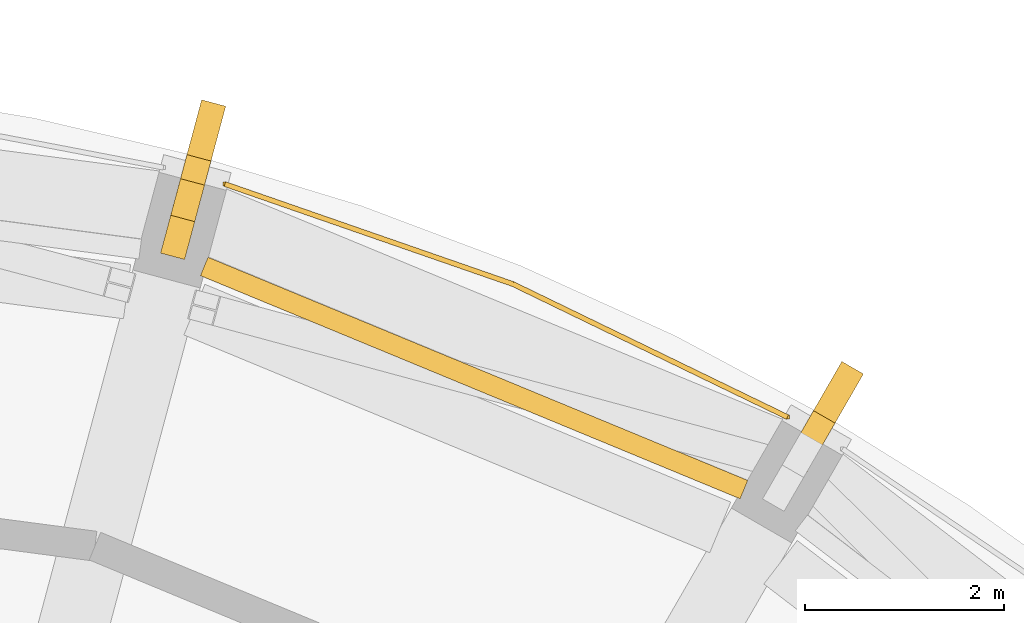
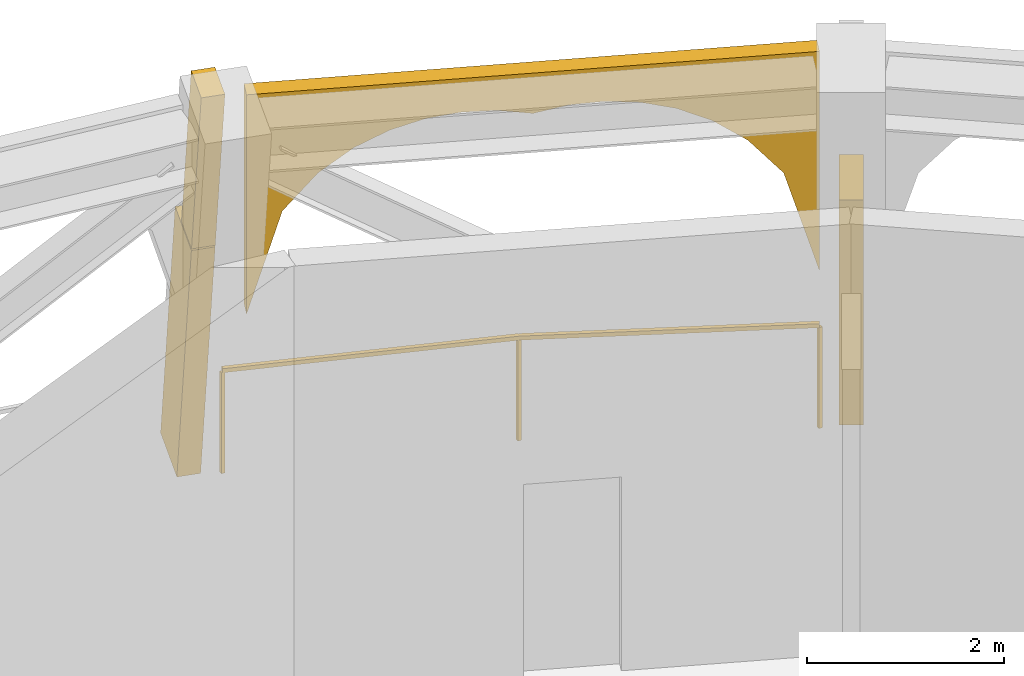
# One storey, part 9 of 9: 4 coverings, 1 railing.
"""IFC4 building model written with IfcOpenShell, lengths in metres."""

from ifc_helpers import new_model, si_unit, direction, frame, origin, origin_2d, place, context, subcontext, project, spatial, polyline, rectangle, outline, extrude, material, layer, layer_set, material_profile, profile_set, type_object, element, save


model = new_model("IFC4")

# Units and contexts
model_context = context("Model", 3, precision=1e-05, world=origin(), true_north=direction((0.0, 1.0)))
body_context = subcontext(model_context, "Body", "Model", "MODEL_VIEW")
ifc_project = project(units=[si_unit("LENGTHUNIT", "METRE"), si_unit("AREAUNIT", "SQUARE_METRE"), si_unit("VOLUMEUNIT", "CUBIC_METRE"), si_unit("PLANEANGLEUNIT", "RADIAN"), si_unit("MASSUNIT", "GRAM", prefix="KILO")], contexts=[model_context])

# Site, building, storey
site_placement = place(None, origin())
site = spatial("IfcSite", under=ifc_project, at=site_placement, CompositionType="ELEMENT")
building_placement = place(site_placement, origin())
building = spatial("IfcBuilding", under=site, at=building_placement, Name="Torre Triforio", CompositionType="ELEMENT")
storey_placement = place(building_placement, frame((0.0, 0.0, 110.60009765625)))
storey = spatial("IfcBuildingStorey", under=building, at=storey_placement, Name="L24", CompositionType="ELEMENT", Elevation=110.60009765625)

# Covering
ifc_material_1 = material(Name="Limestone arch panel", Category="masonry")
ifc_layer = layer(ifc_material_1, 0.199951171875)
ifc_layer_set = layer_set([ifc_layer], Name="Limestone arch panel")
covering_type_1 = type_object("IfcCoveringType", Name="Lancet arch cladding panel 200", PredefinedType="CLADDING", material=ifc_layer_set)
covering_1_placement = place(storey_placement, frame((9.46337890625, 22.846435546875, 0.0), z_axis=(0.382100188932, 0.924120904221, 0.0), x_axis=(-0.924120904221, 0.382100188932, 0.0)))
element("IfcCovering", 1, at=covering_1_placement, inside=storey, type_object=covering_type_1, Name="Lancet arch panel L24 bay 05", PredefinedType="CLADDING", context=body_context, shape_type="SweptSolid", body=[
    extrude(outline(polyline([(-2.932861328125, 5.320068359375), (-2.932861328125, 2.60009765625), (-2.566162109375, 3.84765625), (-2.19970703125, 4.28662109375), (-1.8330078125, 4.565673828125), (-1.46630859375, 4.748291015625), (-1.099853515625, 4.857421875), (-0.733154296875, 4.904052734375), (-0.36669921875, 4.89208984375), (0.0, 4.820068359375), (0.36669921875, 4.89208984375), (0.733154296875, 4.904052734375), (1.099853515625, 4.857421875), (1.46630859375, 4.748291015625), (1.8330078125, 4.565673828125), (2.19970703125, 4.28662109375), (2.566162109375, 3.84765625), (2.932861328125, 2.60009765625), (2.932861328125, 5.320068359375), (-2.932861328125, 5.320068359375)])), origin(), (0.0, 0.0, 1.0), 0.199951171875),
])

# Railing
ifc_material_2 = material(Name="Stainless steel AISI 316", Category="steel")
railing_type = type_object("IfcRailingType", Name="Loggia guard 1300", PredefinedType="GUARDRAIL", material=ifc_material_2)
railing_placement = place(storey_placement, frame((12.64794921875, 22.546875, 0.0)))
element("IfcRailing", 2, at=railing_placement, inside=storey, type_object=railing_type, Name="Loggia guard L24 bay 05", PredefinedType="GUARDRAIL", context=body_context, shape_type="SweptSolid", body=[
    extrude(rectangle(XDim=0.050048828125, YDim=0.050048828125, at=origin_2d()), frame((0.0, 0.0, 1.27490234375), z_axis=(-0.899891864914, 0.436113094806, 0.0), x_axis=(-0.436113094806, -0.899891864914, 0.0)), (0.0, 0.0, 1.0), 3.062255859375),
    extrude(rectangle(XDim=0.050048828125, YDim=0.050048828125, at=origin_2d()), frame((-2.755615234375, 1.33544921875, 1.27490234375), z_axis=(-0.944704198295, 0.327923737665, 0.0), x_axis=(-0.327923737665, -0.944704198295, 0.0)), (0.0, 0.0, 1.0), 3.062255859375),
    extrude(rectangle(XDim=0.0400390625, YDim=0.0400390625, at=origin_2d()), origin(), (0.0, 0.0, 1.0), 1.25),
    extrude(rectangle(XDim=0.0400390625, YDim=0.0400390625, at=origin_2d()), frame((-2.755615234375, 1.33544921875, 0.0)), (0.0, 0.0, 1.0), 1.25),
    extrude(rectangle(XDim=0.0400390625, YDim=0.0400390625, at=origin_2d()), frame((-5.6484375, 2.339599609375, 0.0)), (0.0, 0.0, 1.0), 1.25),
])

# Coverings
ifc_material_3 = material(Name="Limestone fin", Category="masonry")
ifc_material_profile_1 = material_profile(ifc_material_3, rectangle(XDim=0.39990234375, YDim=0.25, at=origin_2d()), Name="FIN 400x250")
ifc_profile_set_1 = profile_set([ifc_material_profile_1], Name="Limestone fin")
covering_type_2 = type_object("IfcCoveringType", Name="Stone fin 400 x 250", PredefinedType="CLADDING", material=ifc_profile_set_1)
covering_2_placement = place(storey_placement, frame((6.623291015625, 24.71826171875, 3.19189453125), z_axis=(-0.045517092095, -0.169757293841, 0.984434180387), x_axis=(0.254951074856, 0.950847308954, 0.175753647146)))
element("IfcCovering", 3, at=covering_2_placement, inside=storey, type_object=covering_type_2, Name="Stone fin C06 L24 upper", PredefinedType="CLADDING", context=body_context, shape_type="SweptSolid", body=[
    extrude(rectangle(XDim=0.39990234375, YDim=0.25, at=origin_2d()), origin(), (0.0, 0.0, 1.0), 2.16162109375),
])
ifc_material_profile_2 = material_profile(ifc_material_3, rectangle(XDim=0.64990234375, YDim=0.25, at=origin_2d()), Name="FIN 650x250")
ifc_profile_set_2 = profile_set([ifc_material_profile_2], Name="Limestone fin")
covering_type_3 = type_object("IfcCoveringType", Name="Stone fin 650 x 250", PredefinedType="CLADDING", material=ifc_profile_set_2)
for number, where, z_axis, x_axis, name in (
    (4, (13.1435546875, 22.765380859375, 0.0), (-0.087871162669, -0.152249777991, 0.984428089742), (0.492086829158, 0.852613169287, 0.175787758752), "Stone fin C05 L24"),
    (5, (6.8037109375, 25.3916015625, 0.0), (-0.04555437137, -0.169793566015, 0.984426200479), (0.255092949749, 0.950800994519, 0.175798338476), "Stone fin C06 L24"),
):
    element("IfcCovering", number, at=place(storey_placement, frame(where, z_axis=z_axis, x_axis=x_axis)), inside=storey, type_object=covering_type_3, Name=name, PredefinedType="CLADDING", context=body_context, shape_type="SweptSolid", body=[
        extrude(rectangle(XDim=0.64990234375, YDim=0.25, at=origin_2d()), origin(), (0.0, 0.0, 1.0), 3.242431640625),
    ])

save(model, "model.ifc")
